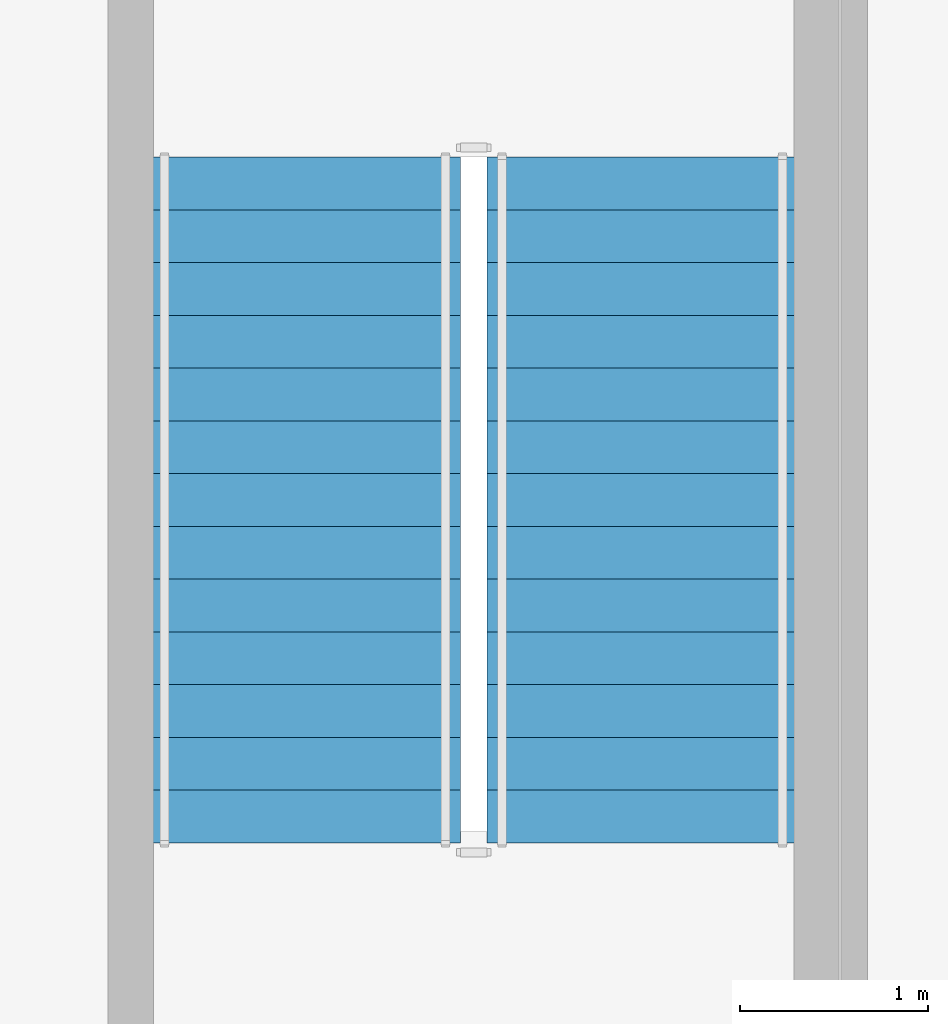
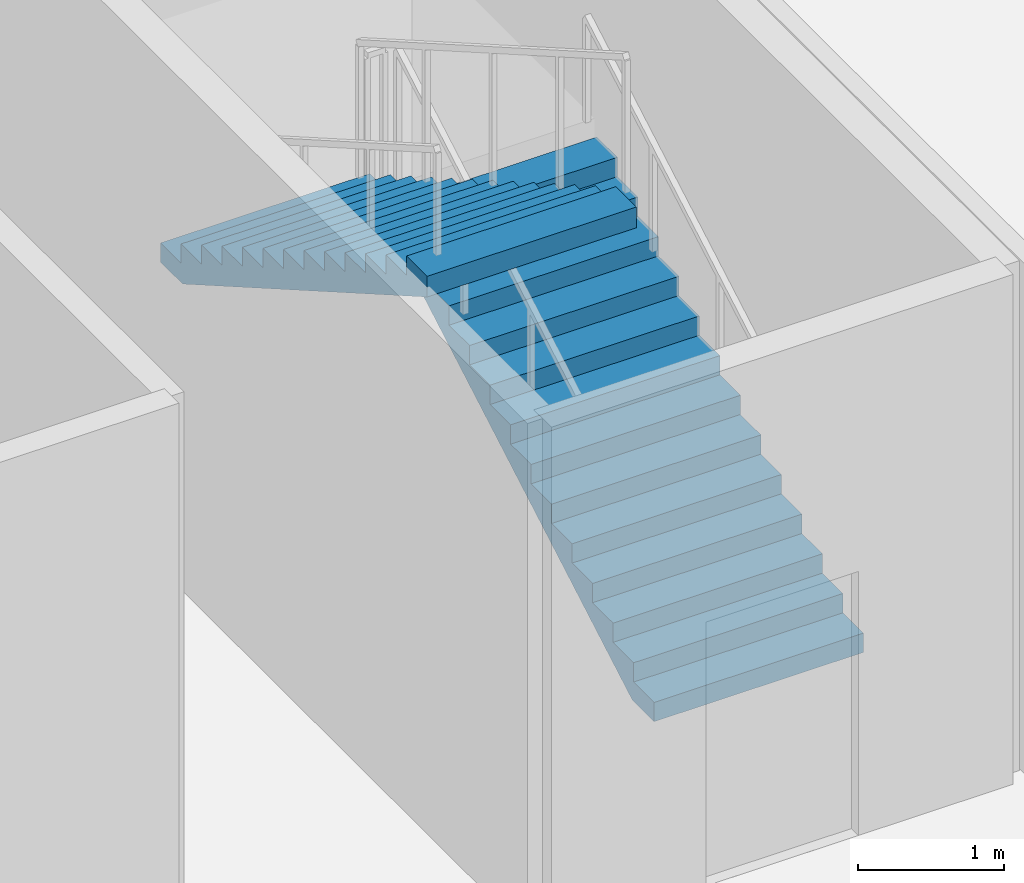
# One storey, part 10 of 16: 2 stair flights, 1 element without a shape of its own.
"""IFC4 building model written with IfcOpenShell, lengths in metres."""

from ifc_helpers import new_model, si_unit, direction, frame, origin, place, context, subcontext, project, spatial, polyline, outline, extrude, material, type_object, element, aggregate, save


model = new_model("IFC4")

# Units and contexts
model_context = context("Model", 3, precision=1e-05, world=origin(), true_north=direction((0.0, 1.0)))
body_context = subcontext(model_context, "Body", "Model", "MODEL_VIEW")
ifc_project = project(units=[si_unit("LENGTHUNIT", "METRE"), si_unit("AREAUNIT", "SQUARE_METRE"), si_unit("VOLUMEUNIT", "CUBIC_METRE"), si_unit("PLANEANGLEUNIT", "RADIAN"), si_unit("MASSUNIT", "GRAM", prefix="KILO")], contexts=[model_context])

# Site, building, storey
site_placement = place(None, origin())
site = spatial("IfcSite", under=ifc_project, at=site_placement, CompositionType="ELEMENT")
building_placement = place(site_placement, origin())
building = spatial("IfcBuilding", under=site, at=building_placement, Name="Liaohun Quay Tower", CompositionType="ELEMENT")
storey_placement = place(building_placement, frame((0.0, 0.0, 14.39990234375)))
storey = spatial("IfcBuildingStorey", under=building, at=storey_placement, Name="L04", CompositionType="ELEMENT", Elevation=14.39990234375)

# Stair, stair flights
ifc_material = material(Name="Concrete C45", Category="concrete")
stair_type = type_object("IfcStairType", Name="STR-POD-EXIT", PredefinedType="TWO_STRAIGHT_RUN_STAIR", material=ifc_material)
stair_placement = place(storey_placement, origin())
stair = element("IfcStair", 1, at=stair_placement, inside=storey, type_object=stair_type, Name="L04 Podium Smokeproof Exit Stair ST-P2", PredefinedType="TWO_STRAIGHT_RUN_STAIR")
stair_flight_type = type_object("IfcStairFlightType", Name="FLT-POD-165", PredefinedType="STRAIGHT", material=ifc_material)
stair_flight_1_placement = place(storey_placement, frame((85.875, 33.75, 0.0), z_axis=(0.0, 0.0, 1.0), x_axis=(0.0, 1.0, 0.0)))
stair_flight_1 = element("IfcStairFlight", 2, at=stair_flight_1_placement, type_object=stair_flight_type, Name="ST-P2 flight 1", NumberOfRisers=14, NumberOfTreads=13, PredefinedType="STRAIGHT", RiserHeight=0.160714286, TreadLength=0.28, context=body_context, shape_type="SweptSolid", body=[
    extrude(outline(polyline([(0.0, 0.0), (0.0, 0.16064453125), (0.280029296875, 0.16064453125), (0.280029296875, 0.321533203125), (0.56005859375, 0.321533203125), (0.56005859375, 0.482177734375), (0.840087890625, 0.482177734375), (0.840087890625, 0.642822265625), (1.1201171875, 0.642822265625), (1.1201171875, 0.803466796875), (1.39990234375, 0.803466796875), (1.39990234375, 0.96435546875), (1.679931640625, 0.96435546875), (1.679931640625, 1.125), (1.9599609375, 1.125), (1.9599609375, 1.28564453125), (2.239990234375, 1.28564453125), (2.239990234375, 1.446533203125), (2.52001953125, 1.446533203125), (2.52001953125, 1.607177734375), (2.800048828125, 1.607177734375), (2.800048828125, 1.767822265625), (3.080078125, 1.767822265625), (3.080078125, 1.928466796875), (3.360107421875, 1.928466796875), (3.360107421875, 2.08935546875), (3.639892578125, 2.08935546875), (3.639892578125, 2.25), (3.639892578125, 1.91650390625), (0.301025390625, 0.0), (0.0, 0.0)])), frame((0.0, 0.824951171875, 0.0), z_axis=(0.0, -1.0, 0.0), x_axis=(1.0, 0.0, 0.0)), (0.0, 0.0, 1.0), 1.64990234375),
])
stair_flight_2_placement = place(storey_placement, frame((84.0849609375, 37.389892578125, 2.25), z_axis=(0.0, 0.0, 1.0), x_axis=(0.0, -1.0, 0.0)))
stair_flight_2 = element("IfcStairFlight", 3, at=stair_flight_2_placement, type_object=stair_flight_type, Name="ST-P2 flight 2", NumberOfRisers=14, NumberOfTreads=13, PredefinedType="STRAIGHT", RiserHeight=0.160714286, TreadLength=0.28, context=body_context, shape_type="SweptSolid", body=[
    extrude(outline(polyline([(0.0, 0.0), (0.0, 0.16064453125), (0.280029296875, 0.16064453125), (0.280029296875, 0.321533203125), (0.56005859375, 0.321533203125), (0.56005859375, 0.482177734375), (0.840087890625, 0.482177734375), (0.840087890625, 0.642822265625), (1.1201171875, 0.642822265625), (1.1201171875, 0.803466796875), (1.39990234375, 0.803466796875), (1.39990234375, 0.96435546875), (1.679931640625, 0.96435546875), (1.679931640625, 1.125), (1.9599609375, 1.125), (1.9599609375, 1.28564453125), (2.239990234375, 1.28564453125), (2.239990234375, 1.446533203125), (2.52001953125, 1.446533203125), (2.52001953125, 1.607177734375), (2.800048828125, 1.607177734375), (2.800048828125, 1.767822265625), (3.080078125, 1.767822265625), (3.080078125, 1.928466796875), (3.360107421875, 1.928466796875), (3.360107421875, 2.08935546875), (3.639892578125, 2.08935546875), (3.639892578125, 2.25), (3.639892578125, 1.91650390625), (0.301025390625, 0.0), (0.0, 0.0)])), frame((0.0, 0.824951171875, 0.0), z_axis=(0.0, -1.0, 0.0), x_axis=(1.0, 0.0, 0.0)), (0.0, 0.0, 1.0), 1.64990234375),
])
aggregate(stair, [stair_flight_1, stair_flight_2])

save(model, "model.ifc")
